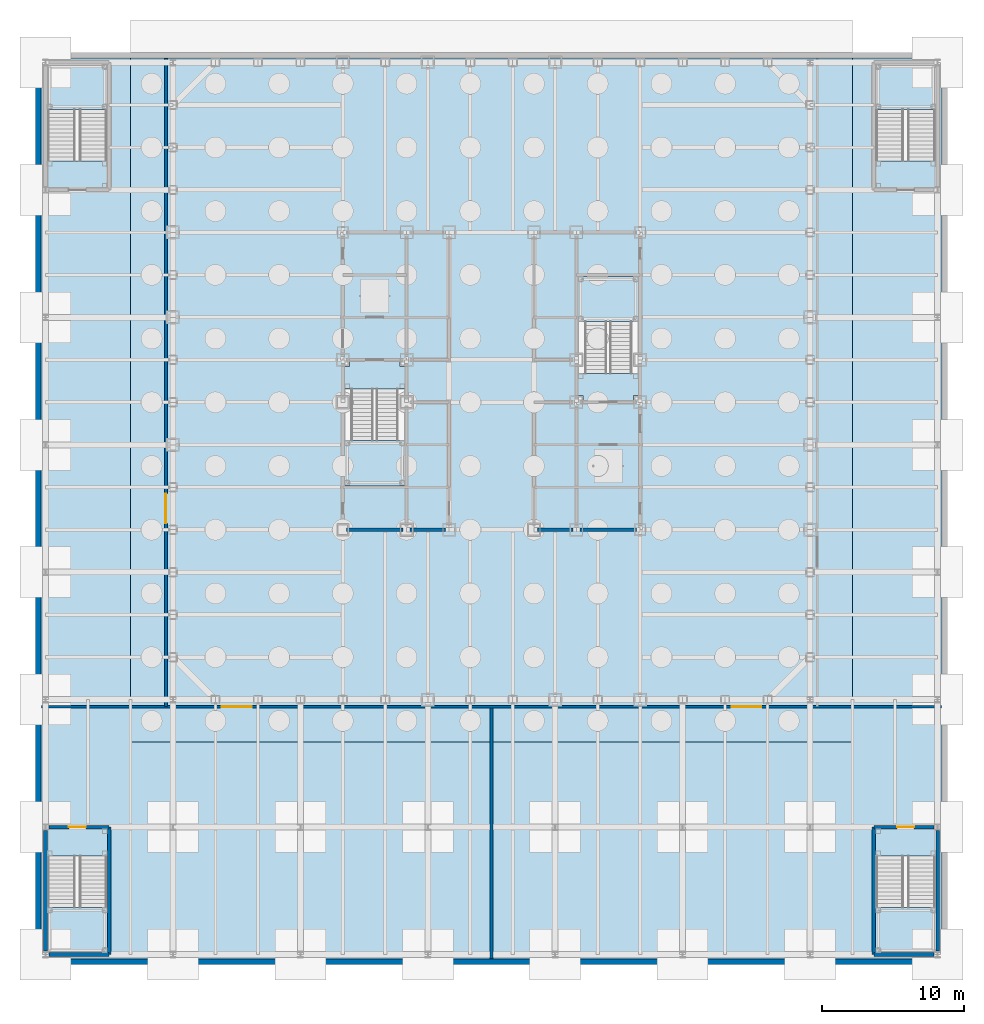
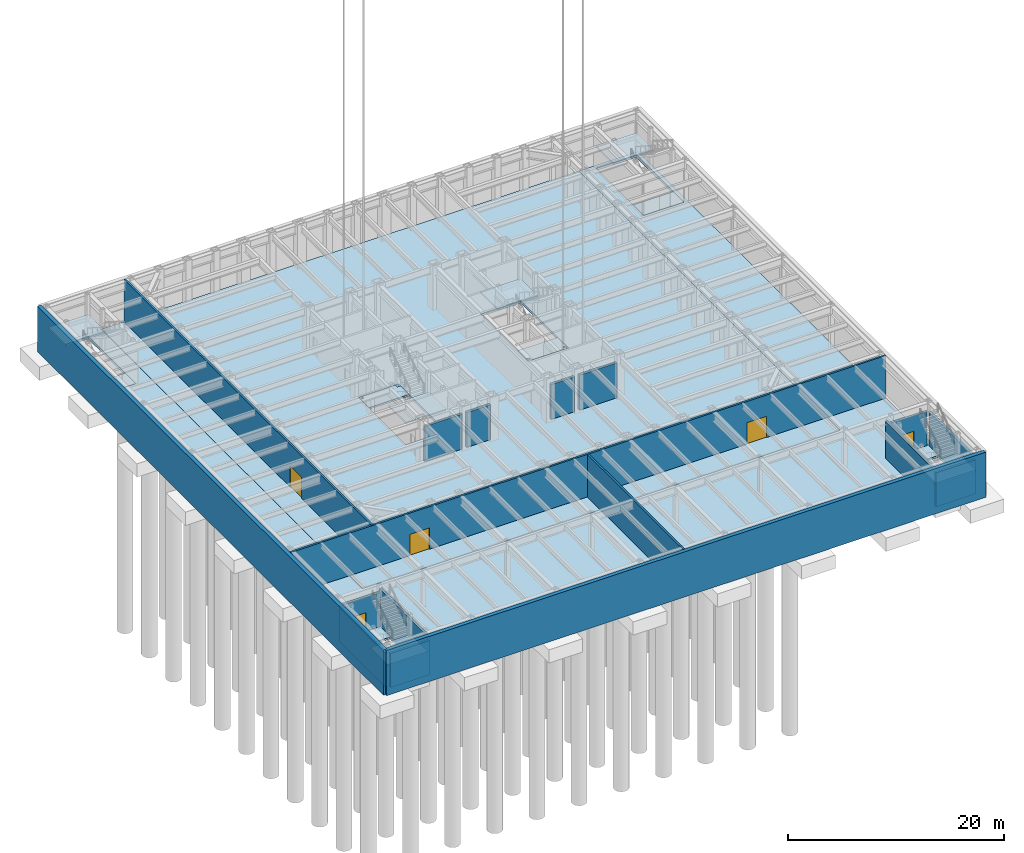
# One storey, part 6 of 18: 17 walls, 14 slabs, 5 doors, 5 openings, 6 elements without a shape of their own.
"""IFC4 building model written with IfcOpenShell, lengths in metres."""

from ifc_helpers import new_model, si_unit, direction, frame, frame_2d, origin, place, context, subcontext, project, spatial, polyline, rectangle, outline, extrude, material, layer, layer_set, type_object, element, fill, aggregate, save


model = new_model("IFC4")

# Units and contexts
model_context = context("Model", 3, precision=1e-05, world=origin(), true_north=direction((0.0, 1.0)))
body_context = subcontext(model_context, "Body", "Model", "MODEL_VIEW")
ifc_project = project(units=[si_unit("LENGTHUNIT", "METRE"), si_unit("AREAUNIT", "SQUARE_METRE"), si_unit("VOLUMEUNIT", "CUBIC_METRE"), si_unit("PLANEANGLEUNIT", "RADIAN"), si_unit("MASSUNIT", "GRAM", prefix="KILO")], contexts=[model_context])

# Site, building, storey
site_placement = place(None, origin())
site = spatial("IfcSite", under=ifc_project, at=site_placement, CompositionType="ELEMENT")
building_placement = place(site_placement, origin())
building = spatial("IfcBuilding", under=site, at=building_placement, Name="Chuquiago Exchange Tower", CompositionType="ELEMENT")
storey_placement = place(building_placement, frame((0.0, 0.0, -5.0)))
storey = spatial("IfcBuildingStorey", under=building, at=storey_placement, Name="B1", CompositionType="ELEMENT", Elevation=-5.0)

# Slabs
ifc_material_1 = material(Name="Concrete C35/45", Category="concrete")
ifc_layer_1 = layer(ifc_material_1, 0.300048828125)
ifc_layer_set_1 = layer_set([ifc_layer_1], Name="BS1 basement slab 300")
slab_type_1 = type_object("IfcSlabType", Name="BS1 basement slab 300", PredefinedType="BASESLAB", material=ifc_layer_set_1)
slab_1_placement = place(storey_placement, frame((0.0, 0.0, -0.300048828125)))
element("IfcSlab", 1, at=slab_1_placement, inside=storey, type_object=slab_type_1, Name="Basement slab", PredefinedType="BASESLAB", context=body_context, shape_type="SweptSolid", body=[
    extrude(outline(polyline([(54.300048828125, -18.300048828125), (-9.300048828125, -18.300048828125), (-9.300048828125, 45.300048828125), (-3.0, 45.300048828125), (-3.0, -3.0), (48.0, -3.0), (48.0, 45.300048828125), (54.300048828125, 45.300048828125), (54.300048828125, -18.300048828125)]), holes=[polyline([(-8.89990234375, -17.89990234375), (-4.60009765625, -17.89990234375), (-4.60009765625, -9.10009765625), (-8.89990234375, -9.10009765625), (-8.89990234375, -17.89990234375)]), polyline([(49.60009765625, -17.89990234375), (53.89990234375, -17.89990234375), (53.89990234375, -9.10009765625), (49.60009765625, -9.10009765625), (49.60009765625, -17.89990234375)]), polyline([(-8.89990234375, 36.10009765625), (-4.60009765625, 36.10009765625), (-4.60009765625, 44.89990234375), (-8.89990234375, 44.89990234375), (-8.89990234375, 36.10009765625)]), polyline([(49.60009765625, 36.10009765625), (53.89990234375, 36.10009765625), (53.89990234375, 44.89990234375), (49.60009765625, 44.89990234375), (49.60009765625, 36.10009765625)])]), origin(), (0.0, 0.0, 1.0), 0.300048828125),
])
ifc_material_2 = material(Name="Concrete C30/37", Category="concrete")
ifc_layer_2 = layer(ifc_material_2, 0.300048828125)
ifc_layer_set_2 = layer_set([ifc_layer_2], Name="BS2 raft topping 300")
slab_type_2 = type_object("IfcSlabType", Name="BS2 raft topping 300", PredefinedType="BASESLAB", material=ifc_layer_set_2)
slab_2_placement = place(storey_placement, frame((0.0, 0.0, -0.300048828125)))
element("IfcSlab", 2, at=slab_2_placement, inside=storey, type_object=slab_type_2, Name="Raft topping", PredefinedType="BASESLAB", context=body_context, shape_type="SweptSolid", body=[
    extrude(outline(polyline([(-3.0, -3.0), (-3.0, 45.300048828125), (48.0, 45.300048828125), (48.0, -3.0), (-3.0, -3.0)]), holes=[polyline([(12.10009765625, 23.89990234375), (12.10009765625, 15.10009765625), (16.39990234375, 15.10009765625), (16.39990234375, 23.89990234375), (12.10009765625, 23.89990234375)]), polyline([(28.60009765625, 21.10009765625), (32.89990234375, 21.10009765625), (32.89990234375, 29.89990234375), (28.60009765625, 29.89990234375), (28.60009765625, 21.10009765625)])]), origin(), (0.0, 0.0, 1.0), 0.300048828125),
])

# Stair, slabs
ifc_material_3 = material(Name="Concrete C30/37, precast", Category="concrete")
stair_type_1 = type_object("IfcStairType", Name="ST1 half-turn stair 5000", PredefinedType="HALF_TURN_STAIR", material=ifc_material_3)
stair_1_placement = place(storey_placement, origin())
stair_1 = element("IfcStair", 3, at=stair_1_placement, inside=storey, type_object=stair_type_1, Name="Stair ST1 B1", PredefinedType="HALF_TURN_STAIR")
ifc_material_4 = material(Name="Concrete C30/37, precast", Category="concrete")
ifc_layer_3 = layer(ifc_material_4, 0.199951171875)
ifc_layer_set_3 = layer_set([ifc_layer_3], Name="ST-L landing 200")
slab_type_3 = type_object("IfcSlabType", Name="ST-L landing 200", PredefinedType="LANDING", material=ifc_layer_set_3)
slab_3_placement = place(storey_placement, frame((0.0, 0.0, -0.199951171875)))
slab_3 = element("IfcSlab", 4, at=slab_3_placement, type_object=slab_type_3, Name="ST1 landing 1", PredefinedType="LANDING", context=body_context, shape_type="SweptSolid", body=[
    extrude(outline(polyline([(12.47509765625, 23.89990234375), (16.02490234375, 23.89990234375), (16.02490234375, 23.52490234375), (16.39990234375, 23.52490234375), (16.39990234375, 21.949951171875), (12.10009765625, 21.949951171875), (12.10009765625, 23.52490234375), (12.47509765625, 23.52490234375), (12.47509765625, 23.89990234375)])), origin(), (0.0, 0.0, 1.0), 0.199951171875),
])
slab_4_placement = place(storey_placement, frame((0.0, 0.0, 2.300048828125)))
slab_4 = element("IfcSlab", 5, at=slab_4_placement, type_object=slab_type_3, Name="ST1 landing 2", PredefinedType="LANDING", context=body_context, shape_type="SweptSolid", body=[
    extrude(outline(polyline([(12.10009765625, 18.31005859375), (16.39990234375, 18.31005859375), (16.39990234375, 15.10009765625), (12.10009765625, 15.10009765625), (12.10009765625, 18.31005859375)])), origin(), (0.0, 0.0, 1.0), 0.199951171875),
])
aggregate(stair_1, [slab_3, slab_4])

ifc_material_5 = material(Name="Concrete C30/37, precast", Category="concrete")
stair_type_2 = type_object("IfcStairType", Name="ST2 half-turn stair 5000", PredefinedType="HALF_TURN_STAIR", material=ifc_material_5)
stair_2_placement = place(storey_placement, origin())
stair_2 = element("IfcStair", 6, at=stair_2_placement, inside=storey, type_object=stair_type_2, Name="Stair ST2 B1", PredefinedType="HALF_TURN_STAIR")
slab_5_placement = place(storey_placement, frame((0.0, 0.0, -0.199951171875)))
slab_5 = element("IfcSlab", 7, at=slab_5_placement, type_object=slab_type_3, Name="ST2 landing 1", PredefinedType="LANDING", context=body_context, shape_type="SweptSolid", body=[
    extrude(outline(polyline([(32.52490234375, 21.47509765625), (32.52490234375, 21.10009765625), (28.97509765625, 21.10009765625), (28.97509765625, 21.47509765625), (28.60009765625, 21.47509765625), (28.60009765625, 23.050048828125), (32.89990234375, 23.050048828125), (32.89990234375, 21.47509765625), (32.52490234375, 21.47509765625)])), origin(), (0.0, 0.0, 1.0), 0.199951171875),
])
slab_6_placement = place(storey_placement, frame((0.0, 0.0, 2.300048828125)))
slab_6 = element("IfcSlab", 8, at=slab_6_placement, type_object=slab_type_3, Name="ST2 landing 2", PredefinedType="LANDING", context=body_context, shape_type="SweptSolid", body=[
    extrude(outline(polyline([(28.60009765625, 29.89990234375), (32.89990234375, 29.89990234375), (32.89990234375, 26.68994140625), (28.60009765625, 26.68994140625), (28.60009765625, 29.89990234375)])), origin(), (0.0, 0.0, 1.0), 0.199951171875),
])
aggregate(stair_2, [slab_5, slab_6])

ifc_material_6 = material(Name="Concrete C30/37, precast", Category="concrete")
stair_type_3 = type_object("IfcStairType", Name="PS1 half-turn stair 5000", PredefinedType="HALF_TURN_STAIR", material=ifc_material_6)
stair_3_placement = place(storey_placement, origin())
stair_3 = element("IfcStair", 9, at=stair_3_placement, inside=storey, type_object=stair_type_3, Name="Stair PS1 B1", PredefinedType="HALF_TURN_STAIR")
slab_7_placement = place(storey_placement, frame((0.0, 0.0, -0.199951171875)))
slab_7 = element("IfcSlab", 10, at=slab_7_placement, type_object=slab_type_3, Name="PS1 landing 1", PredefinedType="LANDING", context=body_context, shape_type="SweptSolid", body=[
    extrude(outline(polyline([(-4.60009765625, -11.050048828125), (-4.60009765625, -9.10009765625), (-8.89990234375, -9.10009765625), (-8.89990234375, -11.050048828125), (-4.60009765625, -11.050048828125)])), origin(), (0.0, 0.0, 1.0), 0.199951171875),
])
slab_8_placement = place(storey_placement, frame((0.0, 0.0, 2.300048828125)))
slab_8 = element("IfcSlab", 11, at=slab_8_placement, type_object=slab_type_3, Name="PS1 landing 2", PredefinedType="LANDING", context=body_context, shape_type="SweptSolid", body=[
    extrude(outline(polyline([(-8.89990234375, -14.68994140625), (-4.60009765625, -14.68994140625), (-4.60009765625, -17.89990234375), (-8.89990234375, -17.89990234375), (-8.89990234375, -14.68994140625)])), origin(), (0.0, 0.0, 1.0), 0.199951171875),
])
aggregate(stair_3, [slab_7, slab_8])

ifc_material_7 = material(Name="Concrete C30/37, precast", Category="concrete")
stair_type_4 = type_object("IfcStairType", Name="PS2 half-turn stair 5000", PredefinedType="HALF_TURN_STAIR", material=ifc_material_7)
stair_4_placement = place(storey_placement, origin())
stair_4 = element("IfcStair", 12, at=stair_4_placement, inside=storey, type_object=stair_type_4, Name="Stair PS2 B1", PredefinedType="HALF_TURN_STAIR")
slab_9_placement = place(storey_placement, frame((0.0, 0.0, -0.199951171875)))
slab_9 = element("IfcSlab", 13, at=slab_9_placement, type_object=slab_type_3, Name="PS2 landing 1", PredefinedType="LANDING", context=body_context, shape_type="SweptSolid", body=[
    extrude(outline(polyline([(53.89990234375, -11.050048828125), (53.89990234375, -9.10009765625), (49.60009765625, -9.10009765625), (49.60009765625, -11.050048828125), (53.89990234375, -11.050048828125)])), origin(), (0.0, 0.0, 1.0), 0.199951171875),
])
slab_10_placement = place(storey_placement, frame((0.0, 0.0, 2.300048828125)))
slab_10 = element("IfcSlab", 14, at=slab_10_placement, type_object=slab_type_3, Name="PS2 landing 2", PredefinedType="LANDING", context=body_context, shape_type="SweptSolid", body=[
    extrude(outline(polyline([(49.60009765625, -14.68994140625), (53.89990234375, -14.68994140625), (53.89990234375, -17.89990234375), (49.60009765625, -17.89990234375), (49.60009765625, -14.68994140625)])), origin(), (0.0, 0.0, 1.0), 0.199951171875),
])
aggregate(stair_4, [slab_9, slab_10])

ifc_material_8 = material(Name="Concrete C30/37, precast", Category="concrete")
stair_type_5 = type_object("IfcStairType", Name="PS3 half-turn stair 5000", PredefinedType="HALF_TURN_STAIR", material=ifc_material_8)
stair_5_placement = place(storey_placement, origin())
stair_5 = element("IfcStair", 15, at=stair_5_placement, inside=storey, type_object=stair_type_5, Name="Stair PS3 B1", PredefinedType="HALF_TURN_STAIR")
slab_11_placement = place(storey_placement, frame((0.0, 0.0, -0.199951171875)))
slab_11 = element("IfcSlab", 16, at=slab_11_placement, type_object=slab_type_3, Name="PS3 landing 1", PredefinedType="LANDING", context=body_context, shape_type="SweptSolid", body=[
    extrude(outline(polyline([(-4.60009765625, 36.10009765625), (-4.60009765625, 38.050048828125), (-8.89990234375, 38.050048828125), (-8.89990234375, 36.10009765625), (-4.60009765625, 36.10009765625)])), origin(), (0.0, 0.0, 1.0), 0.199951171875),
])
slab_12_placement = place(storey_placement, frame((0.0, 0.0, 2.300048828125)))
slab_12 = element("IfcSlab", 17, at=slab_12_placement, type_object=slab_type_3, Name="PS3 landing 2", PredefinedType="LANDING", context=body_context, shape_type="SweptSolid", body=[
    extrude(outline(polyline([(-8.89990234375, 44.89990234375), (-4.60009765625, 44.89990234375), (-4.60009765625, 41.68994140625), (-8.89990234375, 41.68994140625), (-8.89990234375, 44.89990234375)])), origin(), (0.0, 0.0, 1.0), 0.199951171875),
])
aggregate(stair_5, [slab_11, slab_12])

ifc_material_9 = material(Name="Concrete C30/37, precast", Category="concrete")
stair_type_6 = type_object("IfcStairType", Name="PS4 half-turn stair 5000", PredefinedType="HALF_TURN_STAIR", material=ifc_material_9)
stair_6_placement = place(storey_placement, origin())
stair_6 = element("IfcStair", 18, at=stair_6_placement, inside=storey, type_object=stair_type_6, Name="Stair PS4 B1", PredefinedType="HALF_TURN_STAIR")
slab_13_placement = place(storey_placement, frame((0.0, 0.0, -0.199951171875)))
slab_13 = element("IfcSlab", 19, at=slab_13_placement, type_object=slab_type_3, Name="PS4 landing 1", PredefinedType="LANDING", context=body_context, shape_type="SweptSolid", body=[
    extrude(outline(polyline([(53.89990234375, 36.10009765625), (53.89990234375, 38.050048828125), (49.60009765625, 38.050048828125), (49.60009765625, 36.10009765625), (53.89990234375, 36.10009765625)])), origin(), (0.0, 0.0, 1.0), 0.199951171875),
])
slab_14_placement = place(storey_placement, frame((0.0, 0.0, 2.300048828125)))
slab_14 = element("IfcSlab", 20, at=slab_14_placement, type_object=slab_type_3, Name="PS4 landing 2", PredefinedType="LANDING", context=body_context, shape_type="SweptSolid", body=[
    extrude(outline(polyline([(49.60009765625, 44.89990234375), (53.89990234375, 44.89990234375), (53.89990234375, 41.68994140625), (49.60009765625, 41.68994140625), (49.60009765625, 44.89990234375)])), origin(), (0.0, 0.0, 1.0), 0.199951171875),
])
aggregate(stair_6, [slab_13, slab_14])

# Walls
ifc_material_10 = material(Name="Concrete masonry, fully grouted", Category="masonry")
ifc_layer_4 = layer(ifc_material_10, 0.25)
ifc_layer_set_4 = layer_set([ifc_layer_4], Name="W1 core wall 250")
wall_type_1 = type_object("IfcWallType", Name="W1 core wall 250", PredefinedType="SOLIDWALL", material=ifc_layer_set_4)
wall_1_placement = place(storey_placement, frame((12.25, 12.0, 0.0), z_axis=(0.0, 0.0, 1.0), x_axis=(1.0, 0.0, 0.0)))
element("IfcWall", 21, at=wall_1_placement, inside=storey, type_object=wall_type_1, Name="CW-B1-01-0", PredefinedType="SOLIDWALL", context=body_context, shape_type="SweptSolid", body=[
    extrude(rectangle(XDim=4.0, YDim=0.25, at=frame_2d((2.0, 0.0))), origin(), (0.0, 0.0, 1.0), 3.94140625),
])
for number, where, z_axis, x_axis, name in (
    (22, (16.75, 12.0, 0.0), (0.0, 0.0, 1.0), (1.0, 0.0, 0.0), "CW-B1-01-1"),
    (23, (25.75, 12.0, 0.0), (0.0, 0.0, 1.0), (1.0, 0.0, 0.0), "CW-B1-02-0"),
):
    element("IfcWall", number, at=place(storey_placement, frame(where, z_axis=z_axis, x_axis=x_axis)), inside=storey, type_object=wall_type_1, Name=name, PredefinedType="SOLIDWALL", context=body_context, shape_type="SweptSolid", body=[
        extrude(rectangle(XDim=2.5, YDim=0.25, at=frame_2d((1.25, 0.0))), origin(), (0.0, 0.0, 1.0), 3.94140625),
    ])
wall_2_placement = place(storey_placement, frame((28.75, 12.0, 0.0), z_axis=(0.0, 0.0, 1.0), x_axis=(1.0, 0.0, 0.0)))
element("IfcWall", 24, at=wall_2_placement, inside=storey, type_object=wall_type_1, Name="CW-B1-02-1", PredefinedType="SOLIDWALL", context=body_context, shape_type="SweptSolid", body=[
    extrude(rectangle(XDim=4.0, YDim=0.25, at=frame_2d((2.0, 0.0))), origin(), (0.0, 0.0, 1.0), 3.94140625),
])
ifc_material_11 = material(Name="Concrete masonry, fully grouted", Category="masonry")
ifc_layer_5 = layer(ifc_material_11, 0.25)
ifc_layer_set_5 = layer_set([ifc_layer_5], Name="W10 podium stair wall 250")
wall_type_2 = type_object("IfcWallType", Name="W10 podium stair wall 250", PredefinedType="SOLIDWALL", material=ifc_layer_set_5)
wall_3_placement = place(storey_placement, frame((-8.75, -18.0, 0.0), z_axis=(0.0, 0.0, 1.0), x_axis=(1.0, 0.0, 0.0)))
element("IfcWall", 25, at=wall_3_placement, inside=storey, type_object=wall_type_2, Name="PSW-B1-PS1-00", PredefinedType="SOLIDWALL", context=body_context, shape_type="SweptSolid", body=[
    extrude(rectangle(XDim=4.25, YDim=0.25, at=frame_2d((2.125, 0.0))), origin(), (0.0, 0.0, 1.0), 3.8525390625),
])
wall_4_placement = place(storey_placement, frame((-4.5, -18.0, 0.0), z_axis=(0.0, 0.0, 1.0), x_axis=(0.0, 1.0, 0.0)))
element("IfcWall", 26, at=wall_4_placement, inside=storey, type_object=wall_type_2, Name="PSW-B1-PS1-10", PredefinedType="SOLIDWALL", context=body_context, shape_type="SweptSolid", body=[
    extrude(rectangle(XDim=9.0, YDim=0.25, at=frame_2d((4.5, 0.0))), origin(), (0.0, 0.0, 1.0), 4.197998046875),
])

# Wall, opening, door
wall_5_placement = place(storey_placement, frame((-8.75, -9.0, 0.0), z_axis=(0.0, 0.0, 1.0), x_axis=(1.0, 0.0, 0.0)))
wall_5 = element("IfcWall", 27, at=wall_5_placement, inside=storey, type_object=wall_type_2, Name="PSW-B1-PS1-20", PredefinedType="SOLIDWALL", context=body_context, shape_type="SweptSolid", body=[
    extrude(rectangle(XDim=4.25, YDim=0.25, at=frame_2d((2.125, 0.0))), origin(), (0.0, 0.0, 1.0), 3.8525390625),
])
opening_1_placement = place(wall_5_placement, frame((1.39990234375, 0.0, 0.0)))
opening_1 = element("IfcOpeningElement", 28, at=opening_1_placement, cuts=wall_5, Name="Opening B1-016", PredefinedType="OPENING", context=body_context, shape_type="SweptSolid", body=[
    extrude(rectangle(XDim=1.199951171875, YDim=2.10009765625, at=frame_2d((0.60009765625, 1.050048828125))), frame((0.0, 0.135009765625, 0.0), z_axis=(0.0, -1.0, 0.0), x_axis=(1.0, 0.0, 0.0)), (0.0, 0.0, 1.0), 0.27001953125),
])
ifc_material_12 = material(Name="Steel door, painted", Category="steel")
door_type_1 = type_object("IfcDoorType", Name="D4 stair door 1200x2100", OperationType="SINGLE_SWING_LEFT", PredefinedType="DOOR", material=ifc_material_12)
door_1_placement = place(opening_1_placement, frame((1.199951171875, 0.0, 0.0), z_axis=(0.0, 0.0, 1.0), x_axis=(-1.0, 0.0, 0.0)))
door_1 = element("IfcDoor", 29, at=door_1_placement, inside=storey, type_object=door_type_1, Name="Stair PS1 door", OperationType="SINGLE_SWING_LEFT", OverallHeight=2.10009765625, OverallWidth=1.199951171875, PredefinedType="DOOR", context=body_context, shape_type="SweptSolid", body=[
    extrude(rectangle(XDim=1.199951171875, YDim=2.10009765625, at=frame_2d((0.60009765625, 1.050048828125))), frame((0.0, 0.02490234375, 0.0), z_axis=(0.0, -1.0, 0.0), x_axis=(1.0, 0.0, 0.0)), (0.0, 0.0, 1.0), 0.050048828125),
])
fill(opening_1, door_1)

# Walls
wall_6_placement = place(storey_placement, frame((-9.0, -17.75, 0.0), z_axis=(0.0, 0.0, 1.0), x_axis=(0.0, 1.0, 0.0)))
element("IfcWall", 30, at=wall_6_placement, inside=storey, type_object=wall_type_2, Name="PSW-B1-PS1-30", PredefinedType="SOLIDWALL", context=body_context, shape_type="SweptSolid", body=[
    extrude(rectangle(XDim=8.5, YDim=0.25, at=frame_2d((4.25, 0.0))), origin(), (0.0, 0.0, 1.0), 3.8525390625),
])
wall_7_placement = place(storey_placement, frame((49.5, -18.0, 0.0), z_axis=(0.0, 0.0, 1.0), x_axis=(1.0, 0.0, 0.0)))
element("IfcWall", 31, at=wall_7_placement, inside=storey, type_object=wall_type_2, Name="PSW-B1-PS2-00", PredefinedType="SOLIDWALL", context=body_context, shape_type="SweptSolid", body=[
    extrude(rectangle(XDim=4.25, YDim=0.25, at=frame_2d((2.125, 0.0))), origin(), (0.0, 0.0, 1.0), 3.8525390625),
])
wall_8_placement = place(storey_placement, frame((54.0, -17.75, 0.0), z_axis=(0.0, 0.0, 1.0), x_axis=(0.0, 1.0, 0.0)))
element("IfcWall", 32, at=wall_8_placement, inside=storey, type_object=wall_type_2, Name="PSW-B1-PS2-10", PredefinedType="SOLIDWALL", context=body_context, shape_type="SweptSolid", body=[
    extrude(rectangle(XDim=8.5, YDim=0.25, at=frame_2d((4.25, 0.0))), origin(), (0.0, 0.0, 1.0), 3.8525390625),
])

# Wall, opening, door
wall_9_placement = place(storey_placement, frame((49.5, -9.0, 0.0), z_axis=(0.0, 0.0, 1.0), x_axis=(1.0, 0.0, 0.0)))
wall_9 = element("IfcWall", 33, at=wall_9_placement, inside=storey, type_object=wall_type_2, Name="PSW-B1-PS2-20", PredefinedType="SOLIDWALL", context=body_context, shape_type="SweptSolid", body=[
    extrude(rectangle(XDim=4.25, YDim=0.25, at=frame_2d((2.125, 0.0))), origin(), (0.0, 0.0, 1.0), 3.8525390625),
])
opening_2_placement = place(wall_9_placement, frame((1.64990234375, 0.0, 0.0)))
opening_2 = element("IfcOpeningElement", 34, at=opening_2_placement, cuts=wall_9, Name="Opening B1-017", PredefinedType="OPENING", context=body_context, shape_type="SweptSolid", body=[
    extrude(rectangle(XDim=1.199951171875, YDim=2.10009765625, at=frame_2d((0.60009765625, 1.050048828125))), frame((0.0, 0.135009765625, 0.0), z_axis=(0.0, -1.0, 0.0), x_axis=(1.0, 0.0, 0.0)), (0.0, 0.0, 1.0), 0.27001953125),
])
door_2_placement = place(opening_2_placement, frame((1.199951171875, 0.0, 0.0), z_axis=(0.0, 0.0, 1.0), x_axis=(-1.0, 0.0, 0.0)))
door_2 = element("IfcDoor", 35, at=door_2_placement, inside=storey, type_object=door_type_1, Name="Stair PS2 door", OperationType="SINGLE_SWING_RIGHT", OverallHeight=2.10009765625, OverallWidth=1.199951171875, PredefinedType="DOOR", context=body_context, shape_type="SweptSolid", body=[
    extrude(rectangle(XDim=1.199951171875, YDim=2.10009765625, at=frame_2d((0.60009765625, 1.050048828125))), frame((0.0, 0.02490234375, 0.0), z_axis=(0.0, -1.0, 0.0), x_axis=(1.0, 0.0, 0.0)), (0.0, 0.0, 1.0), 0.050048828125),
])
fill(opening_2, door_2)

# Wall
wall_10_placement = place(storey_placement, frame((49.5, -18.0, 0.0), z_axis=(0.0, 0.0, 1.0), x_axis=(0.0, 1.0, 0.0)))
element("IfcWall", 36, at=wall_10_placement, inside=storey, type_object=wall_type_2, Name="PSW-B1-PS2-30", PredefinedType="SOLIDWALL", context=body_context, shape_type="SweptSolid", body=[
    extrude(rectangle(XDim=9.0, YDim=0.25, at=frame_2d((4.5, 0.0))), origin(), (0.0, 0.0, 1.0), 4.197998046875),
])

# Wall, opening, door
ifc_material_13 = material(Name="Gypsum board on steel studs, double layer", Category="steel")
ifc_layer_6 = layer(ifc_material_13, 0.199951171875)
ifc_layer_set_6 = layer_set([ifc_layer_6], Name="W6 wing partition 200")
wall_type_3 = type_object("IfcWallType", Name="W6 wing partition 200", PredefinedType="PARTITIONING", material=ifc_layer_set_6)
wall_11_placement = place(storey_placement, frame((-0.5, -0.5, 0.0), z_axis=(0.0, 0.0, 1.0), x_axis=(0.0, 1.0, 0.0)))
wall_11 = element("IfcWall", 37, at=wall_11_placement, inside=storey, type_object=wall_type_3, Name="WW-B1-W", PredefinedType="PARTITIONING", context=body_context, shape_type="SweptSolid", body=[
    extrude(rectangle(XDim=45.780029296875, YDim=0.199951171875, at=frame_2d((22.89013671875, 0.0))), origin(), (0.0, 0.0, 1.0), 4.800048828125),
])
opening_3_placement = place(wall_11_placement, frame((12.949951171875, 0.0, 0.0)))
opening_3 = element("IfcOpeningElement", 38, at=opening_3_placement, cuts=wall_11, Name="Opening B1-014", PredefinedType="OPENING", context=body_context, shape_type="SweptSolid", body=[
    extrude(rectangle(XDim=2.10009765625, YDim=2.39990234375, at=frame_2d((1.050048828125, 1.199951171875))), frame((0.0, 0.10986328125, 0.0), z_axis=(0.0, -1.0, 0.0), x_axis=(1.0, 0.0, 0.0)), (0.0, 0.0, 1.0), 0.219970703125),
])
ifc_material_14 = material(Name="Steel door, painted", Category="steel")
door_type_2 = type_object("IfcDoorType", Name="D11 plant room double door 2100x2400", OperationType="DOUBLE_DOOR_DOUBLE_SWING", PredefinedType="DOOR", material=ifc_material_14)
door_3_placement = place(opening_3_placement, origin())
door_3 = element("IfcDoor", 39, at=door_3_placement, inside=storey, type_object=door_type_2, Name="Generator room door", OperationType="DOUBLE_DOOR_DOUBLE_SWING", OverallHeight=2.39990234375, OverallWidth=2.10009765625, PredefinedType="DOOR", context=body_context, shape_type="SweptSolid", body=[
    extrude(rectangle(XDim=2.10009765625, YDim=2.39990234375, at=frame_2d((1.050048828125, 1.199951171875))), frame((0.0, 0.02490234375, 0.0), z_axis=(0.0, -1.0, 0.0), x_axis=(1.0, 0.0, 0.0)), (0.0, 0.0, 1.0), 0.050048828125),
])
fill(opening_3, door_3)

# Wall, openings, doors
wall_12_placement = place(storey_placement, frame((-9.280029296875, -0.5, 0.0), z_axis=(0.0, 0.0, 1.0), x_axis=(1.0, 0.0, 0.0)))
wall_12 = element("IfcWall", 40, at=wall_12_placement, inside=storey, type_object=wall_type_3, Name="WW-B1-S", PredefinedType="PARTITIONING", context=body_context, shape_type="SweptSolid", body=[
    extrude(rectangle(XDim=63.56005859375, YDim=0.199951171875, at=frame_2d((31.780029296875, 0.0))), origin(), (0.0, 0.0, 1.0), 4.800048828125),
])
opening_4_placement = place(wall_12_placement, frame((12.72998046875, 0.0, 0.0)))
opening_4 = element("IfcOpeningElement", 41, at=opening_4_placement, cuts=wall_12, Name="Opening B1-012", PredefinedType="OPENING", context=body_context, shape_type="SweptSolid", body=[
    extrude(rectangle(XDim=2.10009765625, YDim=2.39990234375, at=frame_2d((1.050048828125, 1.199951171875))), frame((0.0, 0.10986328125, 0.0), z_axis=(0.0, -1.0, 0.0), x_axis=(1.0, 0.0, 0.0)), (0.0, 0.0, 1.0), 0.219970703125),
])
opening_5_placement = place(wall_12_placement, frame((48.72998046875, 0.0, 0.0)))
opening_5 = element("IfcOpeningElement", 42, at=opening_5_placement, cuts=wall_12, Name="Opening B1-013", PredefinedType="OPENING", context=body_context, shape_type="SweptSolid", body=[
    extrude(rectangle(XDim=2.10009765625, YDim=2.39990234375, at=frame_2d((1.050048828125, 1.199951171875))), frame((0.0, 0.10986328125, 0.0), z_axis=(0.0, -1.0, 0.0), x_axis=(1.0, 0.0, 0.0)), (0.0, 0.0, 1.0), 0.219970703125),
])
door_4_placement = place(opening_4_placement, origin())
door_4 = element("IfcDoor", 43, at=door_4_placement, inside=storey, type_object=door_type_2, Name="Water tank room door", OperationType="DOUBLE_DOOR_DOUBLE_SWING", OverallHeight=2.39990234375, OverallWidth=2.10009765625, PredefinedType="DOOR", context=body_context, shape_type="SweptSolid", body=[
    extrude(rectangle(XDim=2.10009765625, YDim=2.39990234375, at=frame_2d((1.050048828125, 1.199951171875))), frame((0.0, 0.02490234375, 0.0), z_axis=(0.0, -1.0, 0.0), x_axis=(1.0, 0.0, 0.0)), (0.0, 0.0, 1.0), 0.050048828125),
])
fill(opening_4, door_4)
door_5_placement = place(opening_5_placement, origin())
door_5 = element("IfcDoor", 44, at=door_5_placement, inside=storey, type_object=door_type_2, Name="Chiller plant room door", OperationType="DOUBLE_DOOR_DOUBLE_SWING", OverallHeight=2.39990234375, OverallWidth=2.10009765625, PredefinedType="DOOR", context=body_context, shape_type="SweptSolid", body=[
    extrude(rectangle(XDim=2.10009765625, YDim=2.39990234375, at=frame_2d((1.050048828125, 1.199951171875))), frame((0.0, 0.02490234375, 0.0), z_axis=(0.0, -1.0, 0.0), x_axis=(1.0, 0.0, 0.0)), (0.0, 0.0, 1.0), 0.050048828125),
])
fill(opening_5, door_5)

# Walls
wall_13_placement = place(storey_placement, frame((22.5, -18.280029296875, 0.0), z_axis=(0.0, 0.0, 1.0), x_axis=(0.0, 1.0, 0.0)))
element("IfcWall", 45, at=wall_13_placement, inside=storey, type_object=wall_type_3, Name="WW-B1-S2", PredefinedType="PARTITIONING", context=body_context, shape_type="SweptSolid", body=[
    extrude(rectangle(XDim=17.679931640625, YDim=0.199951171875, at=frame_2d((8.83984375, 0.0))), origin(), (0.0, 0.0, 1.0), 4.800048828125),
])
ifc_material_15 = material(Name="Concrete C35/45", Category="concrete")
ifc_layer_7 = layer(ifc_material_15, 0.39990234375)
ifc_layer_set_7 = layer_set([ifc_layer_7], Name="W9 retaining wall 400")
wall_type_4 = type_object("IfcWallType", Name="W9 retaining wall 400", PredefinedType="USERDEFINED", material=ifc_layer_set_7)
for number, where, z_axis, x_axis, name in (
    (46, (-9.5, -18.5, -0.300048828125), (0.0, 0.0, 1.0), (1.0, 0.0, 0.0), "Basement retaining wall"),
    (47, (-9.5, 45.5, -0.300048828125), (0.0, 0.0, 1.0), (0.0, -1.0, 0.0), "Basement retaining wall"),
):
    element("IfcWall", number, at=place(storey_placement, frame(where, z_axis=z_axis, x_axis=x_axis)), inside=storey, type_object=wall_type_4, Name=name, ObjectType="RETAINING WALL", PredefinedType="USERDEFINED", context=body_context, shape_type="SweptSolid", body=[
        extrude(rectangle(XDim=64.0, YDim=0.39990234375, at=frame_2d((32.0, 0.0))), origin(), (0.0, 0.0, 1.0), 5.10009765625),
    ])

save(model, "model.ifc")
